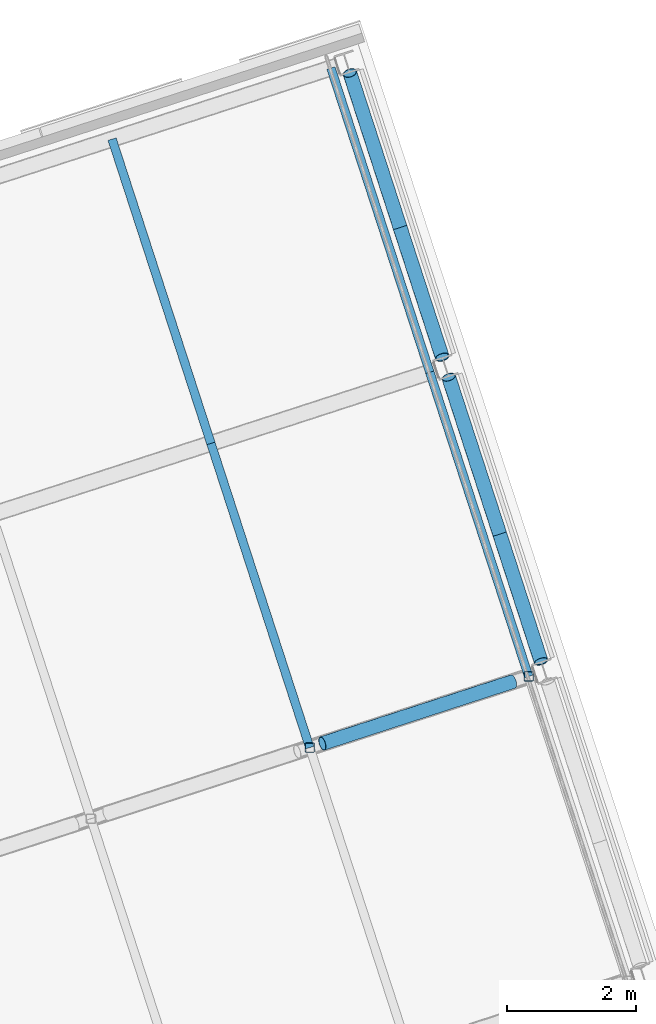
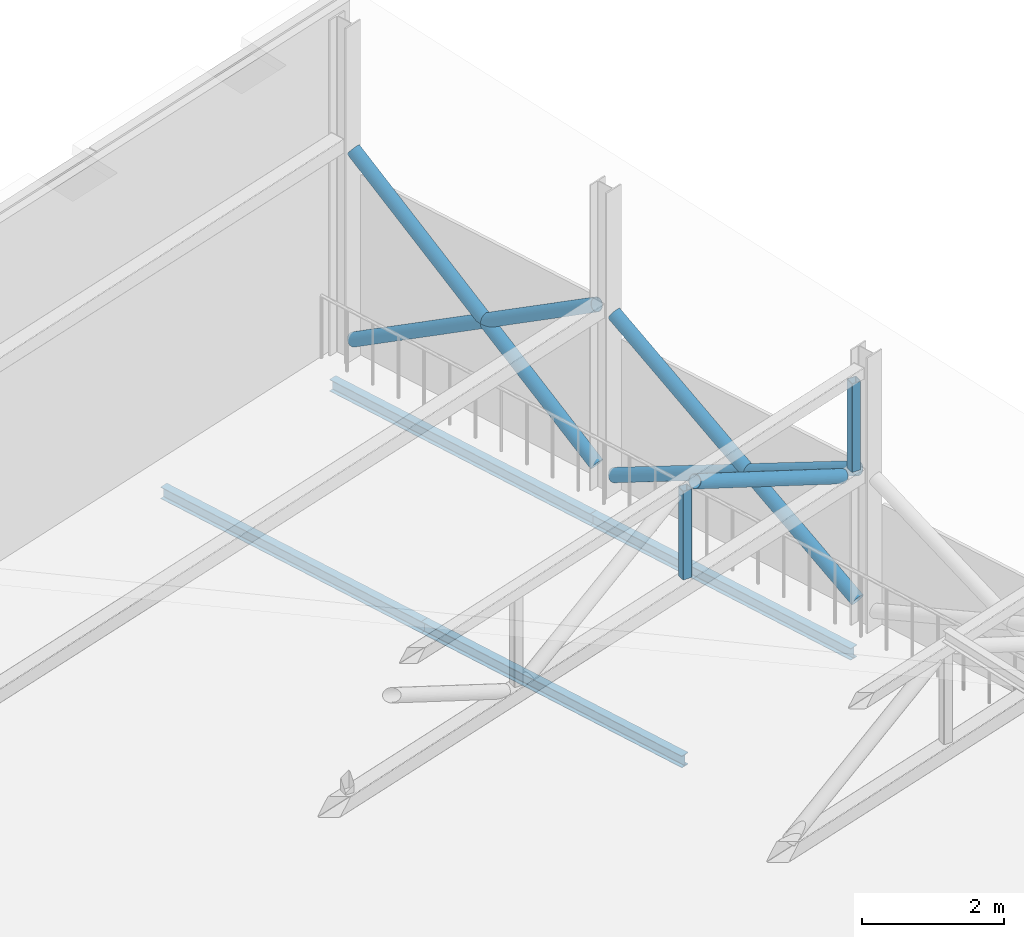
# One storey, part 11 of 49: 11 members.
"""IFC4 building model written with IfcOpenShell, lengths in metres."""

from ifc_helpers import new_model, si_unit, direction, frame, origin, origin_2d, place, context, subcontext, project, spatial, hollow_rectangle, hollow_circle, i_section, extrude, material, material_profile, profile_set, type_object, element, save


model = new_model("IFC4")

# Units and contexts
model_context = context("Model", 3, precision=1e-05, world=origin(), true_north=direction((0.0, 1.0)))
body_context = subcontext(model_context, "Body", "Model", "MODEL_VIEW")
ifc_project = project(units=[si_unit("LENGTHUNIT", "METRE"), si_unit("AREAUNIT", "SQUARE_METRE"), si_unit("VOLUMEUNIT", "CUBIC_METRE"), si_unit("PLANEANGLEUNIT", "RADIAN"), si_unit("MASSUNIT", "GRAM", prefix="KILO")], contexts=[model_context])

# Site, building, storey
site_placement = place(None, origin())
site = spatial("IfcSite", under=ifc_project, at=site_placement, CompositionType="ELEMENT")
building_placement = place(site_placement, origin())
building = spatial("IfcBuilding", under=site, at=building_placement, Name="Tuart Plaza Theatre", CompositionType="ELEMENT")
storey_placement = place(building_placement, frame((0.0, 0.0, 29.5)))
storey = spatial("IfcBuildingStorey", under=building, at=storey_placement, Name="L07", CompositionType="ELEMENT", Elevation=29.5)

# Members
ifc_material_1 = material(Name="Steel Grade C350L0", Category="steel")
ifc_material_profile_1 = material_profile(ifc_material_1, hollow_circle(Radius=0.109619140625, WallThickness=0.00830078125, at=origin_2d()), Name="219.1x8.2 CHS")
ifc_profile_set_1 = profile_set([ifc_material_profile_1], Name="Steel Grade C350L0")
member_type_1 = type_object("IfcMemberType", Name="MEMBER Brace 219.1x8.2 CHS", PredefinedType="BRACE", material=ifc_profile_set_1)
member_1_placement = place(storey_placement, frame((62.370849609375, 86.080322265625, 4.34521484375), z_axis=(0.853572626097, 0.277345791654, -0.441013700273), x_axis=(-0.30902025289, 0.951055457533, 0.0)))
element("IfcMember", 1, at=member_1_placement, inside=storey, type_object=member_type_1, Name="BR78", PredefinedType="BRACE", context=body_context, shape_type="SweptSolid", body=[
    extrude(hollow_circle(Radius=0.109619140625, WallThickness=0.00830078125, at=origin_2d()), origin(), (0.0, 0.0, 1.0), 3.457763671875),
])
member_2_placement = place(storey_placement, frame((65.756591796875, 87.352294921875, 0.347900390625), z_axis=(-0.265103502372, 0.815832018834, 0.513943819961), x_axis=(-0.951048426906, -0.309041889847, 0.0)))
element("IfcMember", 2, at=member_2_placement, inside=storey, type_object=member_type_1, Name="BR103", PredefinedType="BRACE", context=body_context, shape_type="SweptSolid", body=[
    extrude(hollow_circle(Radius=0.109619140625, WallThickness=0.00830078125, at=origin_2d()), origin(), (0.0, 0.0, 1.0), 5.38916015625),
])
member_3_placement = place(storey_placement, frame((65.756591796875, 87.352294921875, 2.614501953125), z_axis=(-0.277079326451, 0.85268653282, -0.442891322561), x_axis=(-0.951048426906, -0.309041889847, 0.0)))
element("IfcMember", 3, at=member_3_placement, inside=storey, type_object=member_type_1, Name="BR104", PredefinedType="BRACE", context=body_context, shape_type="SweptSolid", body=[
    extrude(hollow_circle(Radius=0.109619140625, WallThickness=0.00830078125, at=origin_2d()), origin(), (0.0, 0.0, 1.0), 5.15625),
])
member_4_placement = place(storey_placement, frame((64.22705078125, 92.06005859375, 0.365234375), z_axis=(-0.252681754125, 0.777605213608, 0.57574478973), x_axis=(-0.951048426906, -0.309041889847, 0.0)))
element("IfcMember", 4, at=member_4_placement, inside=storey, type_object=member_type_1, Name="BR105", PredefinedType="BRACE", context=body_context, shape_type="SweptSolid", body=[
    extrude(hollow_circle(Radius=0.109619140625, WallThickness=0.00830078125, at=origin_2d()), origin(), (0.0, 0.0, 1.0), 5.654296875),
])
member_5_placement = place(storey_placement, frame((64.22705078125, 92.06005859375, 3.11767578125), z_axis=(-0.265103502372, 0.815832018834, -0.513943819961), x_axis=(-0.951048426906, -0.309041889847, 0.0)))
element("IfcMember", 5, at=member_5_placement, inside=storey, type_object=member_type_1, Name="BR106", PredefinedType="BRACE", context=body_context, shape_type="SweptSolid", body=[
    extrude(hollow_circle(Radius=0.109619140625, WallThickness=0.00830078125, at=origin_2d()), origin(), (0.0, 0.0, 1.0), 5.38916015625),
])
ifc_material_2 = material(Name="Steel Grade C350L0", Category="steel")
ifc_material_profile_2 = material_profile(ifc_material_2, hollow_rectangle(XDim=0.14990234375, YDim=0.14990234375, WallThickness=0.009033203125, InnerFilletRadius=0.009033203125, OuterFilletRadius=0.01806640625, at=origin_2d()), Name="150x150x9 SHS")
ifc_profile_set_2 = profile_set([ifc_material_profile_2], Name="Steel Grade C350L0")
member_type_2 = type_object("IfcMemberType", Name="MEMBER Post 150x150x9 SHS", PredefinedType="POST", material=ifc_profile_set_2)
for number, where, z_axis, x_axis, name in (
    (6, (62.17724609375, 86.017333984375, 2.8203125), (0.0, 0.0, 1.0), (1.0, 0.0, 0.0), "PO88"),
    (7, (65.564208984375, 87.11767578125, 2.8203125), (0.0, 0.0, 1.0), (1.0, 0.0, 0.0), "PO89"),
):
    element("IfcMember", number, at=place(storey_placement, frame(where, z_axis=z_axis, x_axis=x_axis)), inside=storey, type_object=member_type_2, Name=name, PredefinedType="POST", context=body_context, shape_type="SweptSolid", body=[
        extrude(hollow_rectangle(XDim=0.14990234375, YDim=0.14990234375, WallThickness=0.009033203125, InnerFilletRadius=0.009033203125, OuterFilletRadius=0.01806640625, at=origin_2d()), origin(), (0.0, 0.0, 1.0), 1.52490234375),
    ])
ifc_material_3 = material(Name="Steel Grade 300", Category="steel")
ifc_material_profile_3 = material_profile(ifc_material_3, i_section(OverallWidth=0.133056640625, OverallDepth=0.202880859375, WebThickness=0.005859375, FlangeThickness=0.0078125, FilletRadius=0.0087890625, at=origin_2d()), Name="200UB25.4")
ifc_profile_set_3 = profile_set([ifc_material_profile_3], Name="Steel Grade 300")
member_type_3 = type_object("IfcMemberType", Name="MEMBER Purlin 200UB25.4", PredefinedType="PURLIN", material=ifc_profile_set_3)
member_6_placement = place(storey_placement, frame((62.17724609375, 86.017333984375, -0.3515625), z_axis=(-0.308997967382, 0.951062698329, 0.0), x_axis=(-0.951062698329, -0.308997967382, 0.0)))
element("IfcMember", 8, at=member_6_placement, inside=storey, type_object=member_type_3, Name="PU73", PredefinedType="PURLIN", context=body_context, shape_type="SweptSolid", body=[
    extrude(i_section(OverallWidth=0.133056640625, OverallDepth=0.202880859375, WebThickness=0.005859375, FlangeThickness=0.0078125, FilletRadius=0.0087890625, at=origin_2d()), origin(), (0.0, 0.0, 1.0), 4.949951171875),
])
for number, where, z_axis, x_axis, name in (
    (9, (60.647705078125, 90.72509765625, -0.3515625), (-0.309042578481, 0.951048203135, 0.0), (-0.951048203135, -0.309042578481, 0.0), "PU74"),
    (10, (65.564208984375, 87.11767578125, -0.3515625), (-0.309042578481, 0.951048203135, 0.0), (-0.951048203135, -0.309042578481, 0.0), "PU77"),
):
    element("IfcMember", number, at=place(storey_placement, frame(where, z_axis=z_axis, x_axis=x_axis)), inside=storey, type_object=member_type_3, Name=name, PredefinedType="PURLIN", context=body_context, shape_type="SweptSolid", body=[
        extrude(i_section(OverallWidth=0.133056640625, OverallDepth=0.202880859375, WebThickness=0.005859375, FlangeThickness=0.0078125, FilletRadius=0.0087890625, at=origin_2d()), origin(), (0.0, 0.0, 1.0), 4.9501953125),
    ])
member_7_placement = place(storey_placement, frame((64.034423828125, 91.825439453125, -0.3515625), z_axis=(-0.308997967382, 0.951062698329, 0.0), x_axis=(-0.951062698329, -0.308997967382, 0.0)))
element("IfcMember", 11, at=member_7_placement, inside=storey, type_object=member_type_3, Name="PU78", PredefinedType="PURLIN", context=body_context, shape_type="SweptSolid", body=[
    extrude(i_section(OverallWidth=0.133056640625, OverallDepth=0.202880859375, WebThickness=0.005859375, FlangeThickness=0.0078125, FilletRadius=0.0087890625, at=origin_2d()), origin(), (0.0, 0.0, 1.0), 4.949951171875),
])

save(model, "model.ifc")
